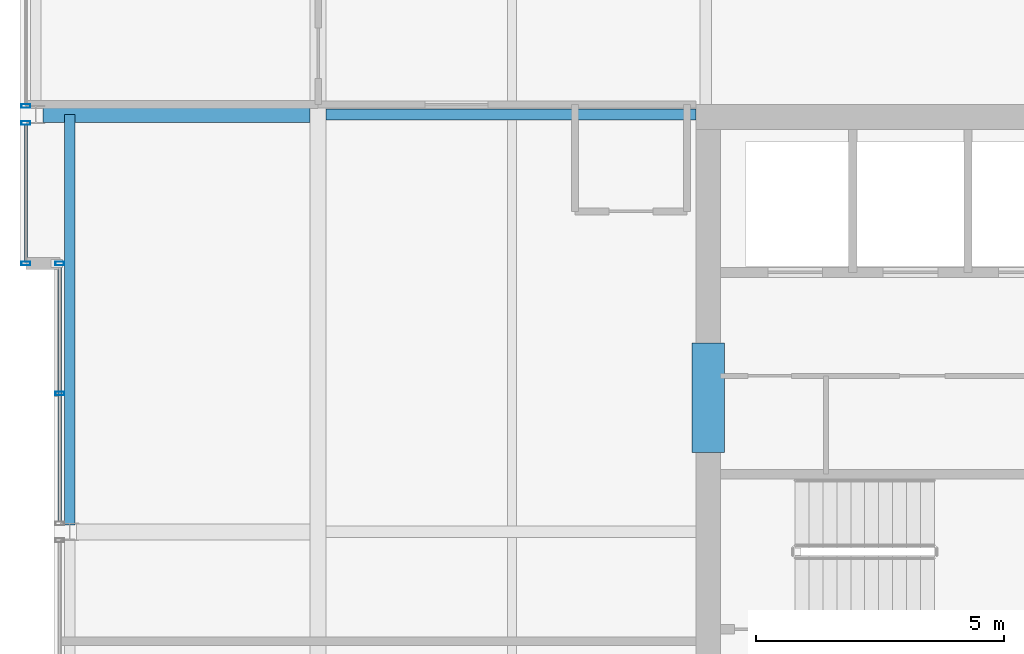
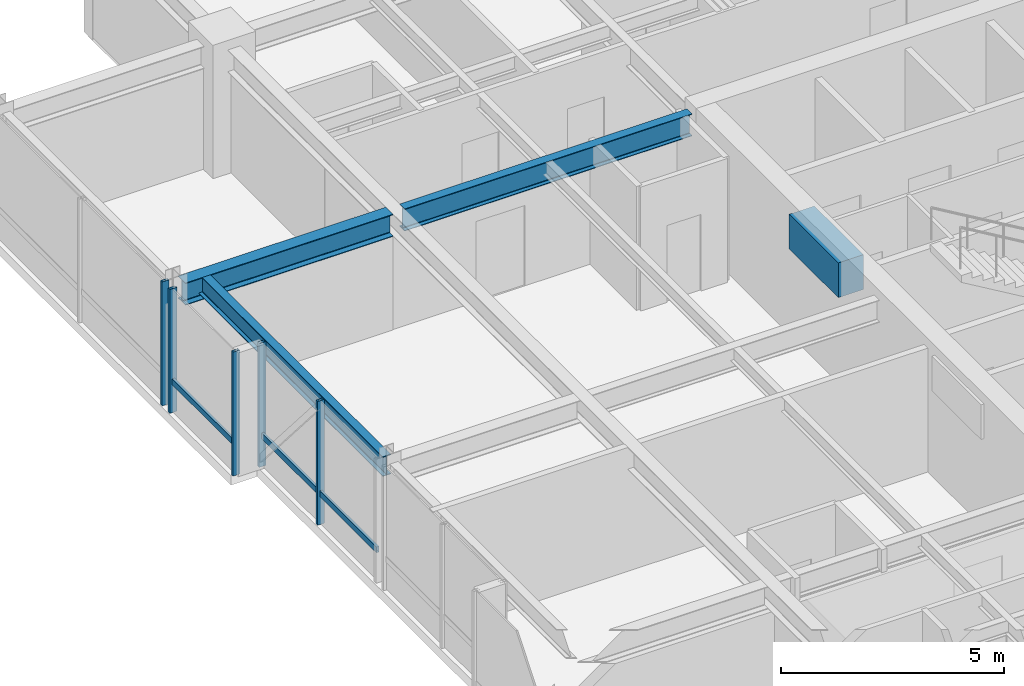
# One storey, part 14 of 34: 7 members, 4 beams, 3 elements without a shape of their own.
"""IFC4 building model written with IfcOpenShell, lengths in metres."""

from ifc_helpers import new_model, si_unit, direction, frame, origin, origin_2d, place, context, subcontext, project, spatial, rectangle, hollow_rectangle, i_section, extrude, material, layer, layer_set, material_profile, profile_set, type_object, element, aggregate, save


model = new_model("IFC4")

# Units and contexts
model_context = context("Model", 3, precision=1e-05, world=origin(), true_north=direction((0.0, 1.0)))
body_context = subcontext(model_context, "Body", "Model", "MODEL_VIEW")
ifc_project = project(units=[si_unit("LENGTHUNIT", "METRE"), si_unit("AREAUNIT", "SQUARE_METRE"), si_unit("VOLUMEUNIT", "CUBIC_METRE"), si_unit("PLANEANGLEUNIT", "RADIAN"), si_unit("MASSUNIT", "GRAM", prefix="KILO")], contexts=[model_context])

# Site, building, storey
site_placement = place(None, origin())
site = spatial("IfcSite", under=ifc_project, at=site_placement, CompositionType="ELEMENT")
building_placement = place(site_placement, origin())
building = spatial("IfcBuilding", under=site, at=building_placement, Name="Drelvath Grand Hotel", CompositionType="ELEMENT")
storey_placement = place(building_placement, frame((0.0, 0.0, 272.300048828125)))
storey = spatial("IfcBuildingStorey", under=building, at=storey_placement, Name="L71", CompositionType="ELEMENT", Elevation=272.300048828125)

# Beam
ifc_material_1 = material(Name="Concrete f'c 55 MPa", Category="concrete")
ifc_material_profile_1 = material_profile(ifc_material_1, rectangle(XDim=0.64990234375, YDim=0.949951171875, at=origin_2d()), Name="CB650X950")
ifc_profile_set_1 = profile_set([ifc_material_profile_1], Name="Concrete f'c 55 MPa")
beam_type_1 = type_object("IfcBeamType", Name="Core Coupling Lintel CB650X950", PredefinedType="LINTEL", material=ifc_profile_set_1)
beam_1_placement = place(storey_placement, frame((-8.35009765625, 28.60009765625, 2.9150390625), z_axis=(0.0, 1.0, 0.0), x_axis=(-1.0, 0.0, 0.0)))
element("IfcBeam", 1, at=beam_1_placement, inside=storey, type_object=beam_type_1, Name="L71 Core Coupling Lintel WN", PredefinedType="LINTEL", context=body_context, shape_type="SweptSolid", body=[
    extrude(rectangle(XDim=0.64990234375, YDim=0.949951171875, at=origin_2d()), origin(), (0.0, 0.0, 1.0), 2.199951171875),
])

# Curtain wall, member
ifc_material_2 = material(Name="Platinum-Mist Anodised Aluminium Frame", Category="aluminium")
ifc_layer = layer(ifc_material_2, 0.199951171875)
ifc_layer_set = layer_set([ifc_layer], Name="Platinum-Mist Anodised Aluminium Frame")
curtain_wall_type = type_object("IfcCurtainWallType", Name="Stick Curtain Wall CW-05 Platinum Mist High-Rise", PredefinedType="NOTDEFINED", material=ifc_layer_set)
curtain_wall_1_placement = place(storey_placement, origin())
curtain_wall_1 = element("IfcCurtainWall", 2, at=curtain_wall_1_placement, inside=storey, type_object=curtain_wall_type, Name="L71 CW-05 Curtain Wall CW05-L71-WM2", PredefinedType="NOTDEFINED")
ifc_material_profile_2 = material_profile(ifc_material_2, hollow_rectangle(XDim=0.06494140625, YDim=0.159912109375, WallThickness=0.00390625, at=origin_2d()), Name="HSS160X65X4")
ifc_profile_set_2 = profile_set([ifc_material_profile_2], Name="Platinum-Mist Anodised Aluminium Frame")
member_type_1 = type_object("IfcMemberType", Name="Curtain Wall Horizontal Transom CW-05 HSS160X65X4", PredefinedType="USERDEFINED", material=ifc_profile_set_2)
member_1_placement = place(storey_placement, frame((-21.39990234375, 27.2099609375, 0.847412109375), z_axis=(0.0, 1.0, 0.0), x_axis=(-1.0, 0.0, 0.0)))
member_1 = element("IfcMember", 3, at=member_1_placement, type_object=member_type_1, Name="CW05-L71-WM2 Sill Transom", ObjectType="TRANSOM", PredefinedType="USERDEFINED", context=body_context, shape_type="SweptSolid", body=[
    extrude(hollow_rectangle(XDim=0.06494140625, YDim=0.159912109375, WallThickness=0.00390625, at=origin_2d()), origin(), (0.0, 0.0, 1.0), 5.150146484375),
])

curtain_wall_2_placement = place(storey_placement, origin())
curtain_wall_2 = element("IfcCurtainWall", 4, at=curtain_wall_2_placement, inside=storey, type_object=curtain_wall_type, Name="L71 CW-05 Curtain Wall CW05-L71-WN1", PredefinedType="NOTDEFINED")
member_2_placement = place(storey_placement, frame((-22.080078125, 32.43994140625, 0.847412109375), z_axis=(0.0, 1.0, 0.0), x_axis=(-1.0, 0.0, 0.0)))
member_2 = element("IfcMember", 5, at=member_2_placement, type_object=member_type_1, Name="CW05-L71-WN1 Sill Transom", ObjectType="TRANSOM", PredefinedType="USERDEFINED", context=body_context, shape_type="SweptSolid", body=[
    extrude(hollow_rectangle(XDim=0.06494140625, YDim=0.159912109375, WallThickness=0.00390625, at=origin_2d()), origin(), (0.0, 0.0, 1.0), 2.75),
])

# Member
ifc_material_profile_3 = material_profile(ifc_material_2, hollow_rectangle(XDim=0.074951171875, YDim=0.179931640625, WallThickness=0.0048828125, at=origin_2d()), Name="HSS180X75X5")
ifc_profile_set_3 = profile_set([ifc_material_profile_3], Name="Platinum-Mist Anodised Aluminium Frame")
member_type_2 = type_object("IfcMemberType", Name="Curtain Wall Vertical Mullion CW-05 HSS180X75X5", PredefinedType="MULLION", material=ifc_profile_set_3)
member_3_placement = place(storey_placement, frame((-21.39990234375, 29.784912109375, 0.0), z_axis=(0.0, 0.0, 1.0), x_axis=(0.0, 1.0, 0.0)))
member_3 = element("IfcMember", 6, at=member_3_placement, type_object=member_type_2, Name="CW05-L71-WM2 Mullion 2", PredefinedType="MULLION", context=body_context, shape_type="SweptSolid", body=[
    extrude(hollow_rectangle(XDim=0.074951171875, YDim=0.179931640625, WallThickness=0.0048828125, at=origin_2d()), origin(), (0.0, 0.0, 1.0), 3.389892578125),
])

member_4_placement = place(storey_placement, frame((-21.39990234375, 32.39990234375, 0.0), z_axis=(0.0, 0.0, 1.0), x_axis=(0.0, 1.0, 0.0)))
member_4 = element("IfcMember", 7, at=member_4_placement, type_object=member_type_2, Name="CW05-L71-WM2 Mullion 3", PredefinedType="MULLION", context=body_context, shape_type="SweptSolid", body=[
    extrude(hollow_rectangle(XDim=0.074951171875, YDim=0.179931640625, WallThickness=0.0048828125, at=origin_2d()), origin(), (0.0, 0.0, 1.0), 3.389892578125),
])

aggregate(curtain_wall_1, [member_3, member_4, member_1])

member_5_placement = place(storey_placement, frame((-22.080078125, 32.39990234375, 0.0), z_axis=(0.0, 0.0, 1.0), x_axis=(0.0, 1.0, 0.0)))
member_5 = element("IfcMember", 8, at=member_5_placement, type_object=member_type_2, Name="CW05-L71-WN1 Mullion 1", PredefinedType="MULLION", context=body_context, shape_type="SweptSolid", body=[
    extrude(hollow_rectangle(XDim=0.074951171875, YDim=0.179931640625, WallThickness=0.0048828125, at=origin_2d()), origin(), (0.0, 0.0, 1.0), 3.389892578125),
])

member_6_placement = place(storey_placement, frame((-22.080078125, 35.22998046875, 0.0), z_axis=(0.0, 0.0, 1.0), x_axis=(0.0, 1.0, 0.0)))
member_6 = element("IfcMember", 9, at=member_6_placement, type_object=member_type_2, Name="CW05-L71-WN1 Mullion 2", PredefinedType="MULLION", context=body_context, shape_type="SweptSolid", body=[
    extrude(hollow_rectangle(XDim=0.074951171875, YDim=0.179931640625, WallThickness=0.0048828125, at=origin_2d()), origin(), (0.0, 0.0, 1.0), 3.389892578125),
])

aggregate(curtain_wall_2, [member_5, member_6, member_2])

# Curtain wall, member
curtain_wall_3_placement = place(storey_placement, origin())
curtain_wall_3 = element("IfcCurtainWall", 10, at=curtain_wall_3_placement, inside=storey, type_object=curtain_wall_type, Name="L71 CW-05 Curtain Wall CW05-L71-WN2", PredefinedType="NOTDEFINED")
member_7_placement = place(storey_placement, frame((-22.080078125, 35.570068359375, 0.0), z_axis=(0.0, 0.0, 1.0), x_axis=(0.0, 1.0, 0.0)))
member_7 = element("IfcMember", 11, at=member_7_placement, type_object=member_type_2, Name="CW05-L71-WN2 Mullion 1", PredefinedType="MULLION", context=body_context, shape_type="SweptSolid", body=[
    extrude(hollow_rectangle(XDim=0.074951171875, YDim=0.179931640625, WallThickness=0.0048828125, at=origin_2d()), origin(), (0.0, 0.0, 1.0), 3.389892578125),
])
aggregate(curtain_wall_3, [member_7])

# Beams
ifc_material_3 = material(Name="Steel ASTM A992 Gr 50", Category="steel")
ifc_material_profile_4 = material_profile(ifc_material_3, i_section(OverallWidth=0.210205078125, OverallDepth=0.53662109375, WebThickness=0.010986328125, FlangeThickness=0.017333984375, FilletRadius=0.01806640625, at=origin_2d()), Name="W21X68")
ifc_profile_set_4 = profile_set([ifc_material_profile_4], Name="Steel ASTM A992 Gr 50")
beam_type_2 = type_object("IfcBeamType", Name="Perimeter Spandrel Beam W21X68", PredefinedType="SPANDREL", material=ifc_profile_set_4)
beam_2_placement = place(storey_placement, frame((-21.199951171875, 27.139892578125, 3.12158203125), z_axis=(0.0, 1.0, 0.0), x_axis=(-1.0, 0.0, 0.0)))
element("IfcBeam", 12, at=beam_2_placement, inside=storey, type_object=beam_type_2, Name="L71 Spandrel West Mid N", PredefinedType="SPANDREL", context=body_context, shape_type="SweptSolid", body=[
    extrude(i_section(OverallWidth=0.210205078125, OverallDepth=0.53662109375, WebThickness=0.010986328125, FlangeThickness=0.017333984375, FilletRadius=0.01806640625, at=origin_2d()), origin(), (0.0, 0.0, 1.0), 8.260009765625),
])
ifc_material_profile_5 = material_profile(ifc_material_3, i_section(OverallWidth=0.323974609375, OverallDepth=0.611083984375, WebThickness=0.0126953125, FlangeThickness=0.01904296875, FilletRadius=0.02197265625, at=origin_2d()), Name="W24X104")
ifc_profile_set_5 = profile_set([ifc_material_profile_5], Name="Steel ASTM A992 Gr 50")
beam_type_3 = type_object("IfcBeamType", Name="Primary Floor Girder W24X104", PredefinedType="BEAM", material=ifc_profile_set_5)
beam_3_placement = place(storey_placement, frame((-21.739990234375, 35.39990234375, 3.08447265625), z_axis=(1.0, 0.0, 0.0), x_axis=(0.0, 1.0, 0.0)))
element("IfcBeam", 13, at=beam_3_placement, inside=storey, type_object=beam_type_3, Name="L71 West Wing Girder F", PredefinedType="BEAM", context=body_context, shape_type="SweptSolid", body=[
    extrude(i_section(OverallWidth=0.323974609375, OverallDepth=0.611083984375, WebThickness=0.0126953125, FlangeThickness=0.01904296875, FilletRadius=0.02197265625, at=origin_2d()), origin(), (0.0, 0.0, 1.0), 5.3779296875),
])
ifc_material_profile_6 = material_profile(ifc_material_3, i_section(OverallWidth=0.228271484375, OverallDepth=0.607666015625, WebThickness=0.01123046875, FlangeThickness=0.017333984375, FilletRadius=0.02001953125, at=origin_2d()), Name="W24X76")
ifc_profile_set_6 = profile_set([ifc_material_profile_6], Name="Steel ASTM A992 Gr 50")
beam_type_4 = type_object("IfcBeamType", Name="Primary Floor Girder W24X76", PredefinedType="BEAM", material=ifc_profile_set_6)
beam_4_placement = place(storey_placement, frame((-16.0380859375, 35.39990234375, 3.086181640625), z_axis=(1.0, 0.0, 0.0), x_axis=(0.0, 1.0, 0.0)))
element("IfcBeam", 14, at=beam_4_placement, inside=storey, type_object=beam_type_4, Name="L71 West Core Tie F", PredefinedType="BEAM", context=body_context, shape_type="SweptSolid", body=[
    extrude(i_section(OverallWidth=0.228271484375, OverallDepth=0.607666015625, WebThickness=0.01123046875, FlangeThickness=0.017333984375, FilletRadius=0.02001953125, at=origin_2d()), origin(), (0.0, 0.0, 1.0), 7.43798828125),
])

save(model, "model.ifc")
